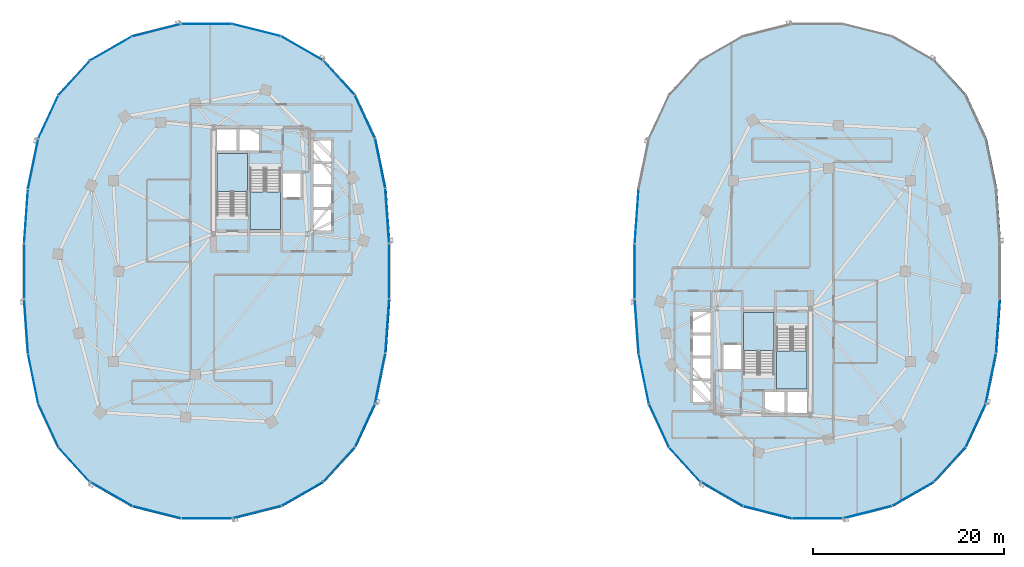
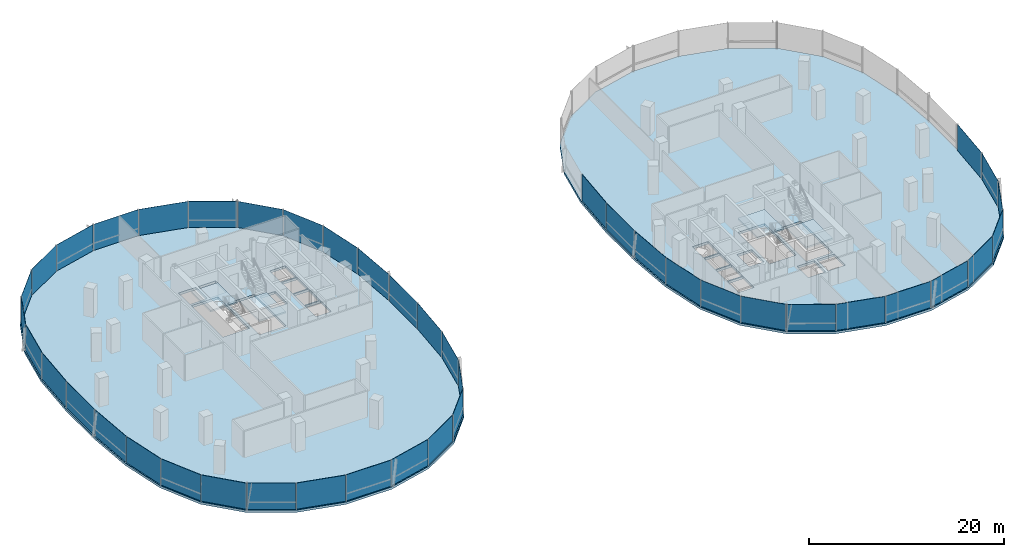
# One storey, part 9 of 20: 43 plates, 6 slabs, 11 elements without a shape of their own.
"""IFC4 building model written with IfcOpenShell, lengths in metres."""

from ifc_helpers import new_model, si_unit, direction, frame, origin, origin_2d, place, context, subcontext, project, spatial, polyline, rectangle, outline, extrude, material, layer, layer_set, type_object, element, aggregate, save


model = new_model("IFC4")

# Units and contexts
model_context = context("Model", 3, precision=1e-05, world=origin(), true_north=direction((0.0, 1.0)))
body_context = subcontext(model_context, "Body", "Model", "MODEL_VIEW")
ifc_project = project(units=[si_unit("LENGTHUNIT", "METRE"), si_unit("AREAUNIT", "SQUARE_METRE"), si_unit("VOLUMEUNIT", "CUBIC_METRE"), si_unit("PLANEANGLEUNIT", "RADIAN"), si_unit("MASSUNIT", "GRAM", prefix="KILO"), si_unit("THERMODYNAMICTEMPERATUREUNIT", "KELVIN"), si_unit("POWERUNIT", "WATT")], contexts=[model_context])

# Site, building, storey
site_placement = place(None, origin())
site = spatial("IfcSite", under=ifc_project, at=site_placement, CompositionType="ELEMENT")
building_placement = place(site_placement, origin())
building = spatial("IfcBuilding", under=site, at=building_placement, Name="Cundina Bronze Exchange", CompositionType="ELEMENT")
storey_placement = place(building_placement, frame((0.0, 0.0, 128.60009765625)))
storey = spatial("IfcBuildingStorey", under=building, at=storey_placement, Name="L33", CompositionType="ELEMENT", Elevation=128.60009765625)

# Curtain wall, plates
ifc_material_1 = material(Name="Anodised Bronze Aluminium 6063-T6", Category="aluminium")
curtain_wall_type = type_object("IfcCurtainWallType", Name="CWS-TRD-MID", PredefinedType="NOTDEFINED", material=ifc_material_1)
curtain_wall_1_placement = place(storey_placement, origin())
curtain_wall_1 = element("IfcCurtainWall", 1, at=curtain_wall_1_placement, inside=storey, type_object=curtain_wall_type, Name="L33 CW-03 Curtain Wall Run CWR-L33-W1", PredefinedType="NOTDEFINED")
ifc_material_2 = material(Name="Heat-Strengthened Solar-Control Bronze Safety Glass 28mm", Category="glass")
ifc_layer_1 = layer(ifc_material_2, 0.028076171875, Name="Heat-Strengthened Solar-Control Bronze Safety Glass 28mm", Category="glass")
ifc_layer_set_1 = layer_set([ifc_layer_1], Name="Heat-Strengthened Solar-Control Bronze Safety Glass 28mm")
plate_type_1 = type_object("IfcPlateType", Name="PLT-GLZ-VIS28", PredefinedType="CURTAIN_PANEL", material=ifc_layer_set_1)
plate_1_placement = place(storey_placement, frame((-13.0732421875, 5.783935546875, 0.02001953125), z_axis=(0.0, 0.0, 1.0), x_axis=(-0.070278787473, 0.997527389113, 0.0)))
plate_1 = element("IfcPlate", 2, at=plate_1_placement, type_object=plate_type_1, Name="CW-03 Glazed Panel 1", PredefinedType="CURTAIN_PANEL", context=body_context, shape_type="SweptSolid", body=[
    extrude(rectangle(XDim=5.644287109375, YDim=0.028076171875, at=origin_2d()), origin(), (0.0, 0.0, 1.0), 3.280029296875),
])
plate_2_placement = place(storey_placement, frame((-15.413818359375, 16.177734375, 0.02001953125), z_axis=(0.0, 0.0, 1.0), x_axis=(-0.42084583328, 0.907132175932, 0.0)))
plate_2 = element("IfcPlate", 3, at=plate_2_placement, type_object=plate_type_1, Name="CW-03 Glazed Panel 3", PredefinedType="CURTAIN_PANEL", context=body_context, shape_type="SweptSolid", body=[
    extrude(rectangle(XDim=4.966552734375, YDim=0.028076171875, at=origin_2d()), origin(), (0.0, 0.0, 1.0), 3.280029296875),
])
plate_3_placement = place(storey_placement, frame((-18.1259765625, 20.267333984375, 0.02001953125), z_axis=(0.0, 0.0, 1.0), x_axis=(-0.674276610219, 0.73847887777, 0.0)))
plate_3 = element("IfcPlate", 4, at=plate_3_placement, type_object=plate_type_1, Name="CW-03 Glazed Panel 4", PredefinedType="CURTAIN_PANEL", context=body_context, shape_type="SweptSolid", body=[
    extrude(rectangle(XDim=4.86328125, YDim=0.028076171875, at=origin_2d()), origin(), (0.0, 0.0, 1.0), 3.280029296875),
])
plate_4_placement = place(storey_placement, frame((-21.980712890625, 23.34423828125, 0.02001953125), z_axis=(0.0, 0.0, 1.0), x_axis=(-0.867105478933, 0.498124571171, 0.0)))
plate_4 = element("IfcPlate", 5, at=plate_4_placement, type_object=plate_type_1, Name="CW-03 Glazed Panel 5", PredefinedType="CURTAIN_PANEL", context=body_context, shape_type="SweptSolid", body=[
    extrude(rectangle(XDim=5.021240234375, YDim=0.028076171875, at=origin_2d()), origin(), (0.0, 0.0, 1.0), 3.280029296875),
])
plate_5_placement = place(storey_placement, frame((-26.744384765625, 25.256591796875, 0.02001953125), z_axis=(0.0, 0.0, 1.0), x_axis=(-0.969488149345, 0.245138182011, 0.0)))
plate_5 = element("IfcPlate", 6, at=plate_5_placement, type_object=plate_type_1, Name="CW-03 Glazed Panel 6", PredefinedType="CURTAIN_PANEL", context=body_context, shape_type="SweptSolid", body=[
    extrude(rectangle(XDim=5.2333984375, YDim=0.028076171875, at=origin_2d()), origin(), (0.0, 0.0, 1.0), 3.280029296875),
])

curtain_wall_2_placement = place(storey_placement, origin())
curtain_wall_2 = element("IfcCurtainWall", 7, at=curtain_wall_2_placement, inside=storey, type_object=curtain_wall_type, Name="L33 CW-03 Curtain Wall Run CWR-L33-W2", PredefinedType="NOTDEFINED")
plate_6_placement = place(storey_placement, frame((-42.019287109375, 23.34423828125, 0.02001953125), z_axis=(0.0, 0.0, 1.0), x_axis=(-0.867105478933, -0.498124571171, 0.0)))
plate_6 = element("IfcPlate", 8, at=plate_6_placement, type_object=plate_type_1, Name="CW-03 Glazed Panel 2", PredefinedType="CURTAIN_PANEL", context=body_context, shape_type="SweptSolid", body=[
    extrude(rectangle(XDim=5.021240234375, YDim=0.028076171875, at=origin_2d()), origin(), (0.0, 0.0, 1.0), 3.280029296875),
])
plate_7_placement = place(storey_placement, frame((-45.8740234375, 20.267333984375, 0.02001953125), z_axis=(0.0, 0.0, 1.0), x_axis=(-0.674276610219, -0.73847887777, 0.0)))
plate_7 = element("IfcPlate", 9, at=plate_7_placement, type_object=plate_type_1, Name="CW-03 Glazed Panel 3", PredefinedType="CURTAIN_PANEL", context=body_context, shape_type="SweptSolid", body=[
    extrude(rectangle(XDim=4.86328125, YDim=0.028076171875, at=origin_2d()), origin(), (0.0, 0.0, 1.0), 3.280029296875),
])
plate_8_placement = place(storey_placement, frame((-48.586181640625, 16.177734375, 0.02001953125), z_axis=(0.0, 0.0, 1.0), x_axis=(-0.42084583328, -0.907132175932, 0.0)))
plate_8 = element("IfcPlate", 10, at=plate_8_placement, type_object=plate_type_1, Name="CW-03 Glazed Panel 4", PredefinedType="CURTAIN_PANEL", context=body_context, shape_type="SweptSolid", body=[
    extrude(rectangle(XDim=4.966552734375, YDim=0.028076171875, at=origin_2d()), origin(), (0.0, 0.0, 1.0), 3.280029296875),
])
plate_9_placement = place(storey_placement, frame((-50.18408203125, 11.269775390625, 0.02001953125), z_axis=(0.0, 0.0, 1.0), x_axis=(-0.201419845156, -0.979505000486, 0.0)))
plate_9 = element("IfcPlate", 11, at=plate_9_placement, type_object=plate_type_1, Name="CW-03 Glazed Panel 5", PredefinedType="CURTAIN_PANEL", context=body_context, shape_type="SweptSolid", body=[
    extrude(rectangle(XDim=5.306640625, YDim=0.028076171875, at=origin_2d()), origin(), (0.0, 0.0, 1.0), 3.280029296875),
])
plate_10_placement = place(storey_placement, frame((-51.1279296875, 0.0, 0.02001953125), z_axis=(0.0, 0.0, 1.0), x_axis=(0.0, -1.0, 0.0)))
plate_10 = element("IfcPlate", 12, at=plate_10_placement, type_object=plate_type_1, Name="CW-03 Glazed Panel 7", PredefinedType="CURTAIN_PANEL", context=body_context, shape_type="SweptSolid", body=[
    extrude(rectangle(XDim=5.77587890625, YDim=0.028076171875, at=origin_2d()), origin(), (0.0, 0.0, 1.0), 3.280029296875),
])

curtain_wall_3_placement = place(storey_placement, origin())
curtain_wall_3 = element("IfcCurtainWall", 13, at=curtain_wall_3_placement, inside=storey, type_object=curtain_wall_type, Name="L33 CW-03 Curtain Wall Run CWR-L33-W3", PredefinedType="NOTDEFINED")
plate_11_placement = place(storey_placement, frame((-50.9267578125, -5.783935546875, 0.02001953125), z_axis=(0.0, 0.0, 1.0), x_axis=(0.070278787473, -0.997527389113, 0.0)))
plate_11 = element("IfcPlate", 14, at=plate_11_placement, type_object=plate_type_1, Name="CW-03 Glazed Panel 1", PredefinedType="CURTAIN_PANEL", context=body_context, shape_type="SweptSolid", body=[
    extrude(rectangle(XDim=5.644287109375, YDim=0.028076171875, at=origin_2d()), origin(), (0.0, 0.0, 1.0), 3.280029296875),
])
plate_12_placement = place(storey_placement, frame((-50.18408203125, -11.269775390625, 0.02001953125), z_axis=(0.0, 0.0, 1.0), x_axis=(0.201419845156, -0.979505000486, 0.0)))
plate_12 = element("IfcPlate", 15, at=plate_12_placement, type_object=plate_type_1, Name="CW-03 Glazed Panel 2", PredefinedType="CURTAIN_PANEL", context=body_context, shape_type="SweptSolid", body=[
    extrude(rectangle(XDim=5.306640625, YDim=0.028076171875, at=origin_2d()), origin(), (0.0, 0.0, 1.0), 3.280029296875),
])
plate_13_placement = place(storey_placement, frame((-48.586181640625, -16.177734375, 0.02001953125), z_axis=(0.0, 0.0, 1.0), x_axis=(0.42084583328, -0.907132175932, 0.0)))
plate_13 = element("IfcPlate", 16, at=plate_13_placement, type_object=plate_type_1, Name="CW-03 Glazed Panel 3", PredefinedType="CURTAIN_PANEL", context=body_context, shape_type="SweptSolid", body=[
    extrude(rectangle(XDim=4.966552734375, YDim=0.028076171875, at=origin_2d()), origin(), (0.0, 0.0, 1.0), 3.280029296875),
])
plate_14_placement = place(storey_placement, frame((-45.8740234375, -20.267333984375, 0.02001953125), z_axis=(0.0, 0.0, 1.0), x_axis=(0.674276610219, -0.73847887777, 0.0)))
plate_14 = element("IfcPlate", 17, at=plate_14_placement, type_object=plate_type_1, Name="CW-03 Glazed Panel 4", PredefinedType="CURTAIN_PANEL", context=body_context, shape_type="SweptSolid", body=[
    extrude(rectangle(XDim=4.86328125, YDim=0.028076171875, at=origin_2d()), origin(), (0.0, 0.0, 1.0), 3.280029296875),
])
plate_15_placement = place(storey_placement, frame((-37.255615234375, -25.256591796875, 0.02001953125), z_axis=(0.0, 0.0, 1.0), x_axis=(0.969488149345, -0.245138182011, 0.0)))
plate_15 = element("IfcPlate", 18, at=plate_15_placement, type_object=plate_type_1, Name="CW-03 Glazed Panel 6", PredefinedType="CURTAIN_PANEL", context=body_context, shape_type="SweptSolid", body=[
    extrude(rectangle(XDim=5.2333984375, YDim=0.028076171875, at=origin_2d()), origin(), (0.0, 0.0, 1.0), 3.280029296875),
])
plate_16_placement = place(storey_placement, frame((-32.0, -25.905029296875, 0.02001953125), z_axis=(0.0, 0.0, 1.0), x_axis=(1.0, 0.0, 0.0)))
plate_16 = element("IfcPlate", 19, at=plate_16_placement, type_object=plate_type_1, Name="CW-03 Glazed Panel 7", PredefinedType="CURTAIN_PANEL", context=body_context, shape_type="SweptSolid", body=[
    extrude(rectangle(XDim=5.323974609375, YDim=0.028076171875, at=origin_2d()), origin(), (0.0, 0.0, 1.0), 3.280029296875),
])

curtain_wall_4_placement = place(storey_placement, origin())
curtain_wall_4 = element("IfcCurtainWall", 20, at=curtain_wall_4_placement, inside=storey, type_object=curtain_wall_type, Name="L33 CW-03 Curtain Wall Run CWR-L33-W4", PredefinedType="NOTDEFINED")
plate_17_placement = place(storey_placement, frame((-26.744384765625, -25.256591796875, 0.02001953125), z_axis=(0.0, 0.0, 1.0), x_axis=(0.969488149345, 0.245138182011, 0.0)))
plate_17 = element("IfcPlate", 21, at=plate_17_placement, type_object=plate_type_1, Name="CW-03 Glazed Panel 1", PredefinedType="CURTAIN_PANEL", context=body_context, shape_type="SweptSolid", body=[
    extrude(rectangle(XDim=5.2333984375, YDim=0.028076171875, at=origin_2d()), origin(), (0.0, 0.0, 1.0), 3.280029296875),
])
plate_18_placement = place(storey_placement, frame((-21.980712890625, -23.34423828125, 0.02001953125), z_axis=(0.0, 0.0, 1.0), x_axis=(0.867105478933, 0.498124571171, 0.0)))
plate_18 = element("IfcPlate", 22, at=plate_18_placement, type_object=plate_type_1, Name="CW-03 Glazed Panel 2", PredefinedType="CURTAIN_PANEL", context=body_context, shape_type="SweptSolid", body=[
    extrude(rectangle(XDim=5.021240234375, YDim=0.028076171875, at=origin_2d()), origin(), (0.0, 0.0, 1.0), 3.280029296875),
])
plate_19_placement = place(storey_placement, frame((-18.1259765625, -20.267333984375, 0.02001953125), z_axis=(0.0, 0.0, 1.0), x_axis=(0.674276610219, 0.73847887777, 0.0)))
plate_19 = element("IfcPlate", 23, at=plate_19_placement, type_object=plate_type_1, Name="CW-03 Glazed Panel 3", PredefinedType="CURTAIN_PANEL", context=body_context, shape_type="SweptSolid", body=[
    extrude(rectangle(XDim=4.86328125, YDim=0.028076171875, at=origin_2d()), origin(), (0.0, 0.0, 1.0), 3.280029296875),
])
plate_20_placement = place(storey_placement, frame((-13.81591796875, -11.269775390625, 0.02001953125), z_axis=(0.0, 0.0, 1.0), x_axis=(0.201419845156, 0.979505000486, 0.0)))
plate_20 = element("IfcPlate", 24, at=plate_20_placement, type_object=plate_type_1, Name="CW-03 Glazed Panel 5", PredefinedType="CURTAIN_PANEL", context=body_context, shape_type="SweptSolid", body=[
    extrude(rectangle(XDim=5.306640625, YDim=0.028076171875, at=origin_2d()), origin(), (0.0, 0.0, 1.0), 3.280029296875),
])
plate_21_placement = place(storey_placement, frame((-13.0732421875, -5.783935546875, 0.02001953125), z_axis=(0.0, 0.0, 1.0), x_axis=(0.070278787473, 0.997527389113, 0.0)))
plate_21 = element("IfcPlate", 25, at=plate_21_placement, type_object=plate_type_1, Name="CW-03 Glazed Panel 6", PredefinedType="CURTAIN_PANEL", context=body_context, shape_type="SweptSolid", body=[
    extrude(rectangle(XDim=5.644287109375, YDim=0.028076171875, at=origin_2d()), origin(), (0.0, 0.0, 1.0), 3.280029296875),
])
plate_22_placement = place(storey_placement, frame((-12.8720703125, 0.0, 0.02001953125), z_axis=(0.0, 0.0, 1.0), x_axis=(0.0, 1.0, 0.0)))
plate_22 = element("IfcPlate", 26, at=plate_22_placement, type_object=plate_type_1, Name="CW-03 Glazed Panel 7", PredefinedType="CURTAIN_PANEL", context=body_context, shape_type="SweptSolid", body=[
    extrude(rectangle(XDim=5.77587890625, YDim=0.028076171875, at=origin_2d()), origin(), (0.0, 0.0, 1.0), 3.280029296875),
])

# Curtain wall, plate
curtain_wall_5_placement = place(storey_placement, origin())
curtain_wall_5 = element("IfcCurtainWall", 27, at=curtain_wall_5_placement, inside=storey, type_object=curtain_wall_type, Name="L33 CW-03 Curtain Wall Run CWR-L33-E2", PredefinedType="NOTDEFINED")
plate_23_placement = place(storey_placement, frame((12.8720703125, 0.0, 0.02001953125), z_axis=(0.0, 0.0, 1.0), x_axis=(0.0, -1.0, 0.0)))
plate_23 = element("IfcPlate", 28, at=plate_23_placement, type_object=plate_type_1, Name="CW-03 Glazed Panel 7", PredefinedType="CURTAIN_PANEL", context=body_context, shape_type="SweptSolid", body=[
    extrude(rectangle(XDim=5.77587890625, YDim=0.028076171875, at=origin_2d()), origin(), (0.0, 0.0, 1.0), 3.280029296875),
])

# Curtain wall, plates
curtain_wall_6_placement = place(storey_placement, origin())
curtain_wall_6 = element("IfcCurtainWall", 29, at=curtain_wall_6_placement, inside=storey, type_object=curtain_wall_type, Name="L33 CW-03 Curtain Wall Run CWR-L33-E3", PredefinedType="NOTDEFINED")
plate_24_placement = place(storey_placement, frame((13.0732421875, -5.783935546875, 0.02001953125), z_axis=(0.0, 0.0, 1.0), x_axis=(0.070278787473, -0.997527389113, 0.0)))
plate_24 = element("IfcPlate", 30, at=plate_24_placement, type_object=plate_type_1, Name="CW-03 Glazed Panel 1", PredefinedType="CURTAIN_PANEL", context=body_context, shape_type="SweptSolid", body=[
    extrude(rectangle(XDim=5.644287109375, YDim=0.028076171875, at=origin_2d()), origin(), (0.0, 0.0, 1.0), 3.280029296875),
])
plate_25_placement = place(storey_placement, frame((13.81591796875, -11.269775390625, 0.02001953125), z_axis=(0.0, 0.0, 1.0), x_axis=(0.201419845156, -0.979505000486, 0.0)))
plate_25 = element("IfcPlate", 31, at=plate_25_placement, type_object=plate_type_1, Name="CW-03 Glazed Panel 2", PredefinedType="CURTAIN_PANEL", context=body_context, shape_type="SweptSolid", body=[
    extrude(rectangle(XDim=5.306640625, YDim=0.028076171875, at=origin_2d()), origin(), (0.0, 0.0, 1.0), 3.280029296875),
])
plate_26_placement = place(storey_placement, frame((15.413818359375, -16.177734375, 0.02001953125), z_axis=(0.0, 0.0, 1.0), x_axis=(0.42084583328, -0.907132175932, 0.0)))
plate_26 = element("IfcPlate", 32, at=plate_26_placement, type_object=plate_type_1, Name="CW-03 Glazed Panel 3", PredefinedType="CURTAIN_PANEL", context=body_context, shape_type="SweptSolid", body=[
    extrude(rectangle(XDim=4.966552734375, YDim=0.028076171875, at=origin_2d()), origin(), (0.0, 0.0, 1.0), 3.280029296875),
])
plate_27_placement = place(storey_placement, frame((18.1259765625, -20.267333984375, 0.02001953125), z_axis=(0.0, 0.0, 1.0), x_axis=(0.674276610219, -0.73847887777, 0.0)))
plate_27 = element("IfcPlate", 33, at=plate_27_placement, type_object=plate_type_1, Name="CW-03 Glazed Panel 4", PredefinedType="CURTAIN_PANEL", context=body_context, shape_type="SweptSolid", body=[
    extrude(rectangle(XDim=4.86328125, YDim=0.028076171875, at=origin_2d()), origin(), (0.0, 0.0, 1.0), 3.280029296875),
])
plate_28_placement = place(storey_placement, frame((26.744384765625, -25.256591796875, 0.02001953125), z_axis=(0.0, 0.0, 1.0), x_axis=(0.969488149345, -0.245138182011, 0.0)))
plate_28 = element("IfcPlate", 34, at=plate_28_placement, type_object=plate_type_1, Name="CW-03 Glazed Panel 6", PredefinedType="CURTAIN_PANEL", context=body_context, shape_type="SweptSolid", body=[
    extrude(rectangle(XDim=5.2333984375, YDim=0.028076171875, at=origin_2d()), origin(), (0.0, 0.0, 1.0), 3.280029296875),
])
plate_29_placement = place(storey_placement, frame((32.0, -25.905029296875, 0.02001953125), z_axis=(0.0, 0.0, 1.0), x_axis=(1.0, 0.0, 0.0)))
plate_29 = element("IfcPlate", 35, at=plate_29_placement, type_object=plate_type_1, Name="CW-03 Glazed Panel 7", PredefinedType="CURTAIN_PANEL", context=body_context, shape_type="SweptSolid", body=[
    extrude(rectangle(XDim=5.323974609375, YDim=0.028076171875, at=origin_2d()), origin(), (0.0, 0.0, 1.0), 3.280029296875),
])

curtain_wall_7_placement = place(storey_placement, origin())
curtain_wall_7 = element("IfcCurtainWall", 36, at=curtain_wall_7_placement, inside=storey, type_object=curtain_wall_type, Name="L33 CW-03 Curtain Wall Run CWR-L33-E4", PredefinedType="NOTDEFINED")
plate_30_placement = place(storey_placement, frame((37.255615234375, -25.256591796875, 0.02001953125), z_axis=(0.0, 0.0, 1.0), x_axis=(0.969488149345, 0.245138182011, 0.0)))
plate_30 = element("IfcPlate", 37, at=plate_30_placement, type_object=plate_type_1, Name="CW-03 Glazed Panel 1", PredefinedType="CURTAIN_PANEL", context=body_context, shape_type="SweptSolid", body=[
    extrude(rectangle(XDim=5.2333984375, YDim=0.028076171875, at=origin_2d()), origin(), (0.0, 0.0, 1.0), 3.280029296875),
])
plate_31_placement = place(storey_placement, frame((42.019287109375, -23.34423828125, 0.02001953125), z_axis=(0.0, 0.0, 1.0), x_axis=(0.867105478933, 0.498124571171, 0.0)))
plate_31 = element("IfcPlate", 38, at=plate_31_placement, type_object=plate_type_1, Name="CW-03 Glazed Panel 2", PredefinedType="CURTAIN_PANEL", context=body_context, shape_type="SweptSolid", body=[
    extrude(rectangle(XDim=5.021240234375, YDim=0.028076171875, at=origin_2d()), origin(), (0.0, 0.0, 1.0), 3.280029296875),
])
plate_32_placement = place(storey_placement, frame((45.8740234375, -20.267333984375, 0.02001953125), z_axis=(0.0, 0.0, 1.0), x_axis=(0.674276610219, 0.73847887777, 0.0)))
plate_32 = element("IfcPlate", 39, at=plate_32_placement, type_object=plate_type_1, Name="CW-03 Glazed Panel 3", PredefinedType="CURTAIN_PANEL", context=body_context, shape_type="SweptSolid", body=[
    extrude(rectangle(XDim=4.86328125, YDim=0.028076171875, at=origin_2d()), origin(), (0.0, 0.0, 1.0), 3.280029296875),
])
plate_33_placement = place(storey_placement, frame((50.18408203125, -11.269775390625, 0.02001953125), z_axis=(0.0, 0.0, 1.0), x_axis=(0.201419845156, 0.979505000486, 0.0)))
plate_33 = element("IfcPlate", 40, at=plate_33_placement, type_object=plate_type_1, Name="CW-03 Glazed Panel 5", PredefinedType="CURTAIN_PANEL", context=body_context, shape_type="SweptSolid", body=[
    extrude(rectangle(XDim=5.306640625, YDim=0.028076171875, at=origin_2d()), origin(), (0.0, 0.0, 1.0), 3.280029296875),
])
plate_34_placement = place(storey_placement, frame((50.9267578125, -5.783935546875, 0.02001953125), z_axis=(0.0, 0.0, 1.0), x_axis=(0.070278787473, 0.997527389113, 0.0)))
plate_34 = element("IfcPlate", 41, at=plate_34_placement, type_object=plate_type_1, Name="CW-03 Glazed Panel 6", PredefinedType="CURTAIN_PANEL", context=body_context, shape_type="SweptSolid", body=[
    extrude(rectangle(XDim=5.644287109375, YDim=0.028076171875, at=origin_2d()), origin(), (0.0, 0.0, 1.0), 3.280029296875),
])

# Plate
ifc_material_3 = material(Name="Dark Bronze Spandrel Glass Panel 32mm", Category="glass")
ifc_layer_2 = layer(ifc_material_3, 0.031982421875, Name="Dark Bronze Spandrel Glass Panel 32mm", Category="glass")
ifc_layer_set_2 = layer_set([ifc_layer_2], Name="Dark Bronze Spandrel Glass Panel 32mm")
plate_type_2 = type_object("IfcPlateType", Name="PLT-SPN-BRZ32", PredefinedType="CURTAIN_PANEL", material=ifc_layer_set_2)
plate_35_placement = place(storey_placement, frame((-13.81591796875, 11.269775390625, 0.02001953125), z_axis=(0.0, 0.0, 1.0), x_axis=(-0.201419845156, 0.979505000486, 0.0)))
plate_35 = element("IfcPlate", 42, at=plate_35_placement, type_object=plate_type_2, Name="CW-03 Glazed Panel 2", PredefinedType="CURTAIN_PANEL", context=body_context, shape_type="SweptSolid", body=[
    extrude(rectangle(XDim=5.306640625, YDim=0.031982421875, at=origin_2d()), origin(), (0.0, 0.0, 1.0), 3.280029296875),
])

plate_36_placement = place(storey_placement, frame((-32.0, 25.905029296875, 0.02001953125), z_axis=(0.0, 0.0, 1.0), x_axis=(-1.0, 0.0, 0.0)))
plate_36 = element("IfcPlate", 43, at=plate_36_placement, type_object=plate_type_2, Name="CW-03 Glazed Panel 7", PredefinedType="CURTAIN_PANEL", context=body_context, shape_type="SweptSolid", body=[
    extrude(rectangle(XDim=5.323974609375, YDim=0.031982421875, at=origin_2d()), origin(), (0.0, 0.0, 1.0), 3.280029296875),
])

aggregate(curtain_wall_1, [plate_1, plate_35, plate_2, plate_3, plate_4, plate_5, plate_36])

plate_37_placement = place(storey_placement, frame((-37.255615234375, 25.256591796875, 0.02001953125), z_axis=(0.0, 0.0, 1.0), x_axis=(-0.969488149345, -0.245138182011, 0.0)))
plate_37 = element("IfcPlate", 44, at=plate_37_placement, type_object=plate_type_2, Name="CW-03 Glazed Panel 1", PredefinedType="CURTAIN_PANEL", context=body_context, shape_type="SweptSolid", body=[
    extrude(rectangle(XDim=5.2333984375, YDim=0.031982421875, at=origin_2d()), origin(), (0.0, 0.0, 1.0), 3.280029296875),
])

plate_38_placement = place(storey_placement, frame((-50.9267578125, 5.783935546875, 0.02001953125), z_axis=(0.0, 0.0, 1.0), x_axis=(-0.070278787473, -0.997527389113, 0.0)))
plate_38 = element("IfcPlate", 45, at=plate_38_placement, type_object=plate_type_2, Name="CW-03 Glazed Panel 6", PredefinedType="CURTAIN_PANEL", context=body_context, shape_type="SweptSolid", body=[
    extrude(rectangle(XDim=5.644287109375, YDim=0.031982421875, at=origin_2d()), origin(), (0.0, 0.0, 1.0), 3.280029296875),
])

aggregate(curtain_wall_2, [plate_37, plate_6, plate_7, plate_8, plate_9, plate_38, plate_10])

plate_39_placement = place(storey_placement, frame((-42.019287109375, -23.34423828125, 0.02001953125), z_axis=(0.0, 0.0, 1.0), x_axis=(0.867105478933, -0.498124571171, 0.0)))
plate_39 = element("IfcPlate", 46, at=plate_39_placement, type_object=plate_type_2, Name="CW-03 Glazed Panel 5", PredefinedType="CURTAIN_PANEL", context=body_context, shape_type="SweptSolid", body=[
    extrude(rectangle(XDim=5.021240234375, YDim=0.031982421875, at=origin_2d()), origin(), (0.0, 0.0, 1.0), 3.280029296875),
])

aggregate(curtain_wall_3, [plate_11, plate_12, plate_13, plate_14, plate_39, plate_15, plate_16])

plate_40_placement = place(storey_placement, frame((-15.413818359375, -16.177734375, 0.02001953125), z_axis=(0.0, 0.0, 1.0), x_axis=(0.42084583328, 0.907132175932, 0.0)))
plate_40 = element("IfcPlate", 47, at=plate_40_placement, type_object=plate_type_2, Name="CW-03 Glazed Panel 4", PredefinedType="CURTAIN_PANEL", context=body_context, shape_type="SweptSolid", body=[
    extrude(rectangle(XDim=4.966552734375, YDim=0.031982421875, at=origin_2d()), origin(), (0.0, 0.0, 1.0), 3.280029296875),
])

aggregate(curtain_wall_4, [plate_17, plate_18, plate_19, plate_40, plate_20, plate_21, plate_22])

plate_41_placement = place(storey_placement, frame((13.0732421875, 5.783935546875, 0.02001953125), z_axis=(0.0, 0.0, 1.0), x_axis=(-0.070278787473, -0.997527389113, 0.0)))
plate_41 = element("IfcPlate", 48, at=plate_41_placement, type_object=plate_type_2, Name="CW-03 Glazed Panel 6", PredefinedType="CURTAIN_PANEL", context=body_context, shape_type="SweptSolid", body=[
    extrude(rectangle(XDim=5.644287109375, YDim=0.031982421875, at=origin_2d()), origin(), (0.0, 0.0, 1.0), 3.280029296875),
])

aggregate(curtain_wall_5, [plate_41, plate_23])

plate_42_placement = place(storey_placement, frame((21.980712890625, -23.34423828125, 0.02001953125), z_axis=(0.0, 0.0, 1.0), x_axis=(0.867105478933, -0.498124571171, 0.0)))
plate_42 = element("IfcPlate", 49, at=plate_42_placement, type_object=plate_type_2, Name="CW-03 Glazed Panel 5", PredefinedType="CURTAIN_PANEL", context=body_context, shape_type="SweptSolid", body=[
    extrude(rectangle(XDim=5.021240234375, YDim=0.031982421875, at=origin_2d()), origin(), (0.0, 0.0, 1.0), 3.280029296875),
])

aggregate(curtain_wall_6, [plate_24, plate_25, plate_26, plate_27, plate_42, plate_28, plate_29])

plate_43_placement = place(storey_placement, frame((48.586181640625, -16.177734375, 0.02001953125), z_axis=(0.0, 0.0, 1.0), x_axis=(0.42084583328, 0.907132175932, 0.0)))
plate_43 = element("IfcPlate", 50, at=plate_43_placement, type_object=plate_type_2, Name="CW-03 Glazed Panel 4", PredefinedType="CURTAIN_PANEL", context=body_context, shape_type="SweptSolid", body=[
    extrude(rectangle(XDim=4.966552734375, YDim=0.031982421875, at=origin_2d()), origin(), (0.0, 0.0, 1.0), 3.280029296875),
])

aggregate(curtain_wall_7, [plate_30, plate_31, plate_32, plate_43, plate_33, plate_34])

# Stair, slab
ifc_material_4 = material(Name="Concrete C40/50", Category="concrete")
stair_type = type_object("IfcStairType", Name="STR-OFF-360", PredefinedType="HALF_TURN_STAIR", material=ifc_material_4)
stair_1_placement = place(storey_placement, origin())
stair_1 = element("IfcStair", 51, at=stair_1_placement, inside=storey, type_object=stair_type, Name="L33 Smokeproof Exit Stair W1", PredefinedType="HALF_TURN_STAIR")
ifc_layer_3 = layer(ifc_material_4, 0.199951171875, Name="Concrete C40/50", Category="concrete")
ifc_layer_set_3 = layer_set([ifc_layer_3], Name="Concrete C40/50")
slab_type_1 = type_object("IfcSlabType", Name="SLB-LND-200", PredefinedType="LANDING", material=ifc_layer_set_3)
slab_1_placement = place(storey_placement, frame((0.0, 0.0, 1.599853515625)))
slab_1 = element("IfcSlab", 52, at=slab_1_placement, type_object=slab_type_1, Name="ST-W1 landing 1", PredefinedType="LANDING", context=body_context, shape_type="SweptSolid", body=[
    extrude(outline(polyline([(-27.739990234375, 8.3701171875), (-27.739990234375, 12.35009765625), (-30.89990234375, 12.35009765625), (-30.89990234375, 8.3701171875), (-27.739990234375, 8.3701171875)])), origin(), (0.0, 0.0, 1.0), 0.199951171875),
])
aggregate(stair_1, [slab_1])

stair_2_placement = place(storey_placement, origin())
stair_2 = element("IfcStair", 53, at=stair_2_placement, inside=storey, type_object=stair_type, Name="L33 Smokeproof Exit Stair W2", PredefinedType="HALF_TURN_STAIR")
slab_2_placement = place(storey_placement, frame((0.0, 0.0, 1.599853515625)))
slab_2 = element("IfcSlab", 54, at=slab_2_placement, type_object=slab_type_1, Name="ST-W2 landing 1", PredefinedType="LANDING", context=body_context, shape_type="SweptSolid", body=[
    extrude(outline(polyline([(-27.43994140625, 8.330078125), (-27.43994140625, 4.35009765625), (-24.280029296875, 4.35009765625), (-24.280029296875, 8.330078125), (-27.43994140625, 8.330078125)])), origin(), (0.0, 0.0, 1.0), 0.199951171875),
])
aggregate(stair_2, [slab_2])

stair_3_placement = place(storey_placement, origin())
stair_3 = element("IfcStair", 55, at=stair_3_placement, inside=storey, type_object=stair_type, Name="L33 Smokeproof Exit Stair E1", PredefinedType="HALF_TURN_STAIR")
slab_3_placement = place(storey_placement, frame((0.0, 0.0, 1.599853515625)))
slab_3 = element("IfcSlab", 56, at=slab_3_placement, type_object=slab_type_1, Name="ST-E1 landing 1", PredefinedType="LANDING", context=body_context, shape_type="SweptSolid", body=[
    extrude(outline(polyline([(27.739990234375, -8.3701171875), (27.739990234375, -12.35009765625), (30.89990234375, -12.35009765625), (30.89990234375, -8.3701171875), (27.739990234375, -8.3701171875)])), origin(), (0.0, 0.0, 1.0), 0.199951171875),
])
aggregate(stair_3, [slab_3])

stair_4_placement = place(storey_placement, origin())
stair_4 = element("IfcStair", 57, at=stair_4_placement, inside=storey, type_object=stair_type, Name="L33 Smokeproof Exit Stair E2", PredefinedType="HALF_TURN_STAIR")
slab_4_placement = place(storey_placement, frame((0.0, 0.0, 1.599853515625)))
slab_4 = element("IfcSlab", 58, at=slab_4_placement, type_object=slab_type_1, Name="ST-E2 landing 1", PredefinedType="LANDING", context=body_context, shape_type="SweptSolid", body=[
    extrude(outline(polyline([(27.43994140625, -8.330078125), (27.43994140625, -4.35009765625), (24.280029296875, -4.35009765625), (24.280029296875, -8.330078125), (27.43994140625, -8.330078125)])), origin(), (0.0, 0.0, 1.0), 0.199951171875),
])
aggregate(stair_4, [slab_4])

# Slabs
ifc_material_5 = material(Name="Concrete C50/60", Category="concrete")
ifc_layer_4 = layer(ifc_material_5, 0.300048828125, Name="Concrete C50/60", Category="concrete")
ifc_layer_set_4 = layer_set([ifc_layer_4], Name="Concrete C50/60")
slab_type_2 = type_object("IfcSlabType", Name="SLB-TRD-300", PredefinedType="FLOOR", material=ifc_layer_set_4)
slab_5_placement = place(storey_placement, frame((0.0, 0.0, -0.300048828125)))
element("IfcSlab", 59, at=slab_5_placement, inside=storey, type_object=slab_type_2, Name="L33 Leg W Structural Floor Slab", PredefinedType="FLOOR", context=body_context, shape_type="SweptSolid", body=[
    extrude(outline(polyline([(-12.741943359375, 2.93310546875), (-13.14501953125, 8.653076171875), (-14.23193359375, 13.93896484375), (-16.360107421875, 18.52587890625), (-19.699951171875, 22.18408203125), (-24.132080078125, 24.72998046875), (-29.29296875, 26.034912109375), (-34.70703125, 26.034912109375), (-39.867919921875, 24.72998046875), (-44.300048828125, 22.18408203125), (-47.639892578125, 18.52587890625), (-49.76806640625, 13.93896484375), (-50.85498046875, 8.653076171875), (-51.258056640625, 2.93310546875), (-51.258056640625, -2.93310546875), (-50.85498046875, -8.653076171875), (-49.76806640625, -13.93896484375), (-47.639892578125, -18.52587890625), (-44.300048828125, -22.18408203125), (-39.867919921875, -24.72998046875), (-34.70703125, -26.034912109375), (-29.29296875, -26.034912109375), (-24.132080078125, -24.72998046875), (-19.699951171875, -22.18408203125), (-16.360107421875, -18.52587890625), (-14.23193359375, -13.93896484375), (-13.14501953125, -8.653076171875), (-12.741943359375, -2.93310546875), (-12.741943359375, 2.93310546875)]), holes=[polyline([(-27.739990234375, 5.85009765625), (-27.739990234375, 12.35009765625), (-30.89990234375, 12.35009765625), (-30.89990234375, 5.85009765625), (-27.739990234375, 5.85009765625)]), polyline([(-27.43994140625, 10.85009765625), (-27.43994140625, 4.35009765625), (-24.280029296875, 4.35009765625), (-24.280029296875, 10.85009765625), (-27.43994140625, 10.85009765625)]), polyline([(-23.97998046875, 10.25), (-22.179931640625, 10.25), (-22.179931640625, 7.75), (-23.97998046875, 7.75), (-23.97998046875, 10.25)]), polyline([(-30.89990234375, 14.949951171875), (-28.85009765625, 14.949951171875), (-28.85009765625, 12.64990234375), (-30.89990234375, 12.64990234375), (-30.89990234375, 14.949951171875)]), polyline([(-28.550048828125, 14.949951171875), (-26.5, 14.949951171875), (-26.5, 12.64990234375), (-28.550048828125, 12.64990234375), (-28.550048828125, 14.949951171875)]), polyline([(-20.800048828125, 13.699951171875), (-18.949951171875, 13.699951171875), (-18.949951171875, 11.449951171875), (-20.800048828125, 11.449951171875), (-20.800048828125, 13.699951171875)]), polyline([(-20.800048828125, 11.300048828125), (-18.949951171875, 11.300048828125), (-18.949951171875, 9.050048828125), (-20.800048828125, 9.050048828125), (-20.800048828125, 11.300048828125)]), polyline([(-20.800048828125, 8.89990234375), (-18.949951171875, 8.89990234375), (-18.949951171875, 6.64990234375), (-20.800048828125, 6.64990234375), (-20.800048828125, 8.89990234375)]), polyline([(-20.800048828125, 6.5), (-18.949951171875, 6.5), (-18.949951171875, 4.25), (-20.800048828125, 4.25), (-20.800048828125, 6.5)])]), origin(), (0.0, 0.0, 1.0), 0.300048828125),
])
slab_6_placement = place(storey_placement, frame((0.0, 0.0, -0.300048828125)))
element("IfcSlab", 60, at=slab_6_placement, inside=storey, type_object=slab_type_2, Name="L33 Leg E Structural Floor Slab", PredefinedType="FLOOR", context=body_context, shape_type="SweptSolid", body=[
    extrude(outline(polyline([(51.258056640625, 2.93310546875), (50.85498046875, 8.653076171875), (49.76806640625, 13.93896484375), (47.639892578125, 18.52587890625), (44.300048828125, 22.18408203125), (39.867919921875, 24.72998046875), (34.70703125, 26.034912109375), (29.29296875, 26.034912109375), (24.132080078125, 24.72998046875), (19.699951171875, 22.18408203125), (16.360107421875, 18.52587890625), (14.23193359375, 13.93896484375), (13.14501953125, 8.653076171875), (12.741943359375, 2.93310546875), (12.741943359375, -2.93310546875), (13.14501953125, -8.653076171875), (14.23193359375, -13.93896484375), (16.360107421875, -18.52587890625), (19.699951171875, -22.18408203125), (24.132080078125, -24.72998046875), (29.29296875, -26.034912109375), (34.70703125, -26.034912109375), (39.867919921875, -24.72998046875), (44.300048828125, -22.18408203125), (47.639892578125, -18.52587890625), (49.76806640625, -13.93896484375), (50.85498046875, -8.653076171875), (51.258056640625, -2.93310546875), (51.258056640625, 2.93310546875)]), holes=[polyline([(27.739990234375, -5.85009765625), (27.739990234375, -12.35009765625), (30.89990234375, -12.35009765625), (30.89990234375, -5.85009765625), (27.739990234375, -5.85009765625)]), polyline([(27.43994140625, -10.85009765625), (27.43994140625, -4.35009765625), (24.280029296875, -4.35009765625), (24.280029296875, -10.85009765625), (27.43994140625, -10.85009765625)]), polyline([(22.179931640625, -7.75), (23.97998046875, -7.75), (23.97998046875, -10.25), (22.179931640625, -10.25), (22.179931640625, -7.75)]), polyline([(28.85009765625, -12.64990234375), (30.89990234375, -12.64990234375), (30.89990234375, -14.949951171875), (28.85009765625, -14.949951171875), (28.85009765625, -12.64990234375)]), polyline([(26.5, -12.64990234375), (28.550048828125, -12.64990234375), (28.550048828125, -14.949951171875), (26.5, -14.949951171875), (26.5, -12.64990234375)]), polyline([(18.949951171875, -11.449951171875), (20.800048828125, -11.449951171875), (20.800048828125, -13.699951171875), (18.949951171875, -13.699951171875), (18.949951171875, -11.449951171875)]), polyline([(18.949951171875, -9.050048828125), (20.800048828125, -9.050048828125), (20.800048828125, -11.300048828125), (18.949951171875, -11.300048828125), (18.949951171875, -9.050048828125)]), polyline([(18.949951171875, -6.64990234375), (20.800048828125, -6.64990234375), (20.800048828125, -8.89990234375), (18.949951171875, -8.89990234375), (18.949951171875, -6.64990234375)]), polyline([(18.949951171875, -4.25), (20.800048828125, -4.25), (20.800048828125, -6.5), (18.949951171875, -6.5), (18.949951171875, -4.25)])]), origin(), (0.0, 0.0, 1.0), 0.300048828125),
])

save(model, "model.ifc")
